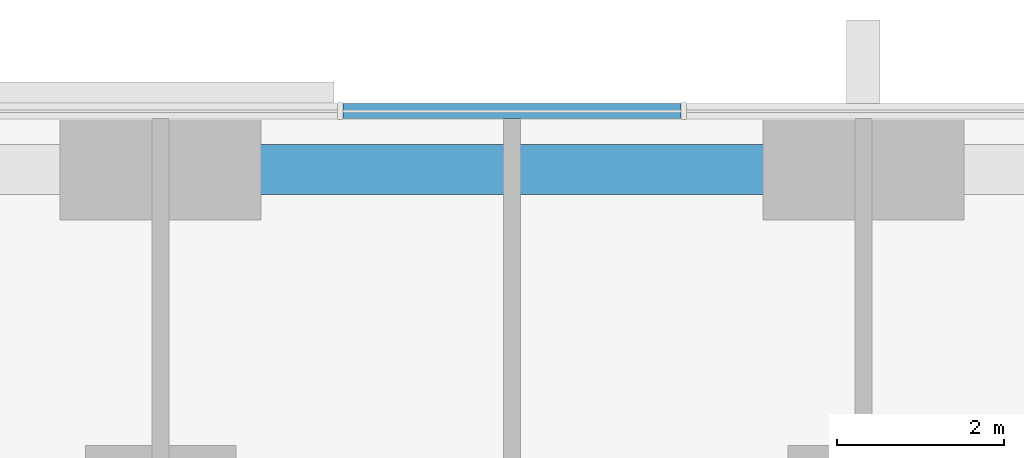
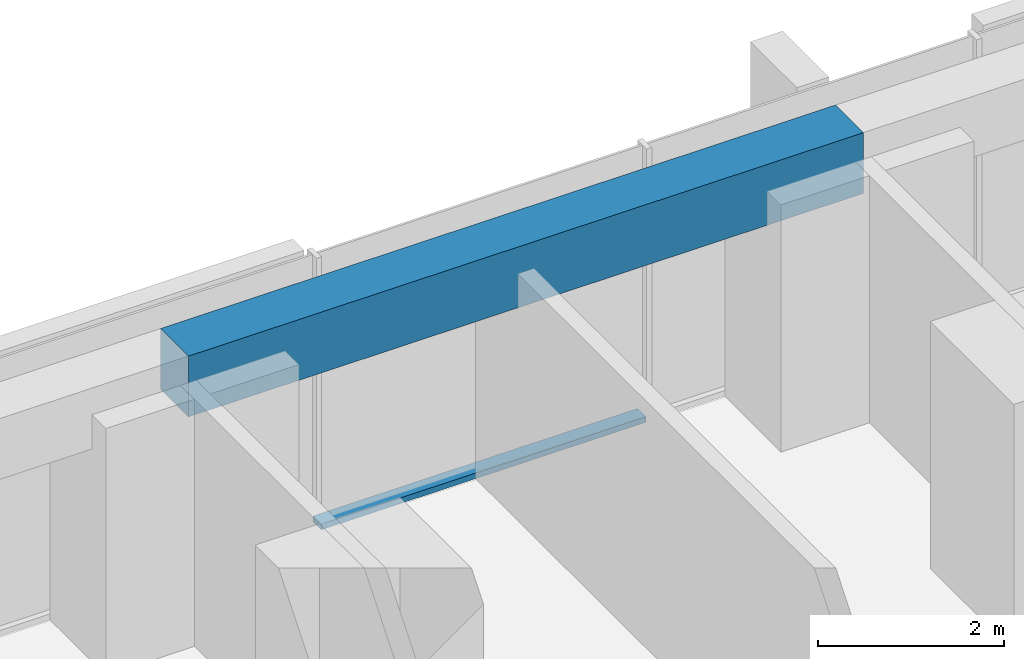
# One storey, part 7 of 17: 1 beam, 1 member, 1 element without a shape of its own.
"""IFC4 building model written with IfcOpenShell, lengths in metres."""

from ifc_helpers import new_model, si_unit, direction, frame, origin, origin_2d, place, context, subcontext, project, spatial, rectangle, extrude, material, material_profile, profile_set, type_object, element, aggregate, save


model = new_model("IFC4")

# Units and contexts
model_context = context("Model", 3, precision=1e-05, world=origin(), true_north=direction((0.0, 1.0)))
body_context = subcontext(model_context, "Body", "Model", "MODEL_VIEW")
ifc_project = project(units=[si_unit("LENGTHUNIT", "METRE"), si_unit("AREAUNIT", "SQUARE_METRE"), si_unit("VOLUMEUNIT", "CUBIC_METRE"), si_unit("PLANEANGLEUNIT", "RADIAN"), si_unit("MASSUNIT", "GRAM", prefix="KILO")], contexts=[model_context])

# Site, building, storey
site_placement = place(None, origin())
site = spatial("IfcSite", under=ifc_project, at=site_placement, CompositionType="ELEMENT")
building_placement = place(site_placement, origin())
building = spatial("IfcBuilding", under=site, at=building_placement, Name="Dunama Terrace Hotel", CompositionType="ELEMENT")
storey_placement = place(building_placement, frame((0.0, 0.0, 63.0)))
storey = spatial("IfcBuildingStorey", under=building, at=storey_placement, Name="L15", CompositionType="ELEMENT", Elevation=63.0)

# Curtain wall, member
ifc_material_1 = material(Name="Aluminium curtain wall system", Category="aluminium")
curtain_wall_type = type_object("IfcCurtainWallType", Name="Unitised fritted glass wall CW-A", PredefinedType="NOTDEFINED", material=ifc_material_1)
curtain_wall_placement = place(storey_placement, origin())
curtain_wall = element("IfcCurtainWall", 1, at=curtain_wall_placement, inside=storey, type_object=curtain_wall_type, Name="Unitised fritted glass wall CW-A L15", PredefinedType="NOTDEFINED")
ifc_material_2 = material(Name="Aluminium transom", Category="aluminium")
ifc_material_profile_1 = material_profile(ifc_material_2, rectangle(XDim=0.179931640625, YDim=0.074951171875, at=origin_2d()), Name="CWA TRANSOM 180X75")
ifc_profile_set_1 = profile_set([ifc_material_profile_1], Name="Aluminium transom")
member_type = type_object("IfcMemberType", Name="CWA transom 180x75", PredefinedType="USERDEFINED", material=ifc_profile_set_1)
member_placement = place(storey_placement, frame((31.4208984375, 58.89990234375, 0.03759765625), z_axis=(-1.0, 0.0, 0.0), x_axis=(0.0, -1.0, 0.0)))
member = element("IfcMember", 2, at=member_placement, type_object=member_type, Name="CWA transom", ObjectType="TRANSOM", PredefinedType="USERDEFINED", context=body_context, shape_type="SweptSolid", body=[
    extrude(rectangle(XDim=0.179931640625, YDim=0.074951171875, at=origin_2d()), origin(), (0.0, 0.0, 1.0), 4.0419921875),
])
aggregate(curtain_wall, [member])

# Beam
ifc_material_3 = material(Name="Concrete C40/50", Category="concrete")
ifc_material_profile_2 = material_profile(ifc_material_3, rectangle(XDim=0.60009765625, YDim=0.800048828125, at=origin_2d()), Name="RC 600x800")
ifc_profile_set_2 = profile_set([ifc_material_profile_2], Name="Concrete C40/50")
beam_type = type_object("IfcBeamType", Name="Edge beam RC 600x800", PredefinedType="SPANDREL", material=ifc_profile_set_2)
beam_placement = place(storey_placement, frame((25.199951171875, 58.199951171875, 3.199951171875), z_axis=(1.0, 0.0, 0.0), x_axis=(0.0, 1.0, 0.0)))
element("IfcBeam", 3, at=beam_placement, inside=storey, type_object=beam_type, Name="Edge beam under L16", PredefinedType="SPANDREL", context=body_context, shape_type="SweptSolid", body=[
    extrude(rectangle(XDim=0.60009765625, YDim=0.800048828125, at=origin_2d()), origin(), (0.0, 0.0, 1.0), 8.400146484375),
])

save(model, "model.ifc")
